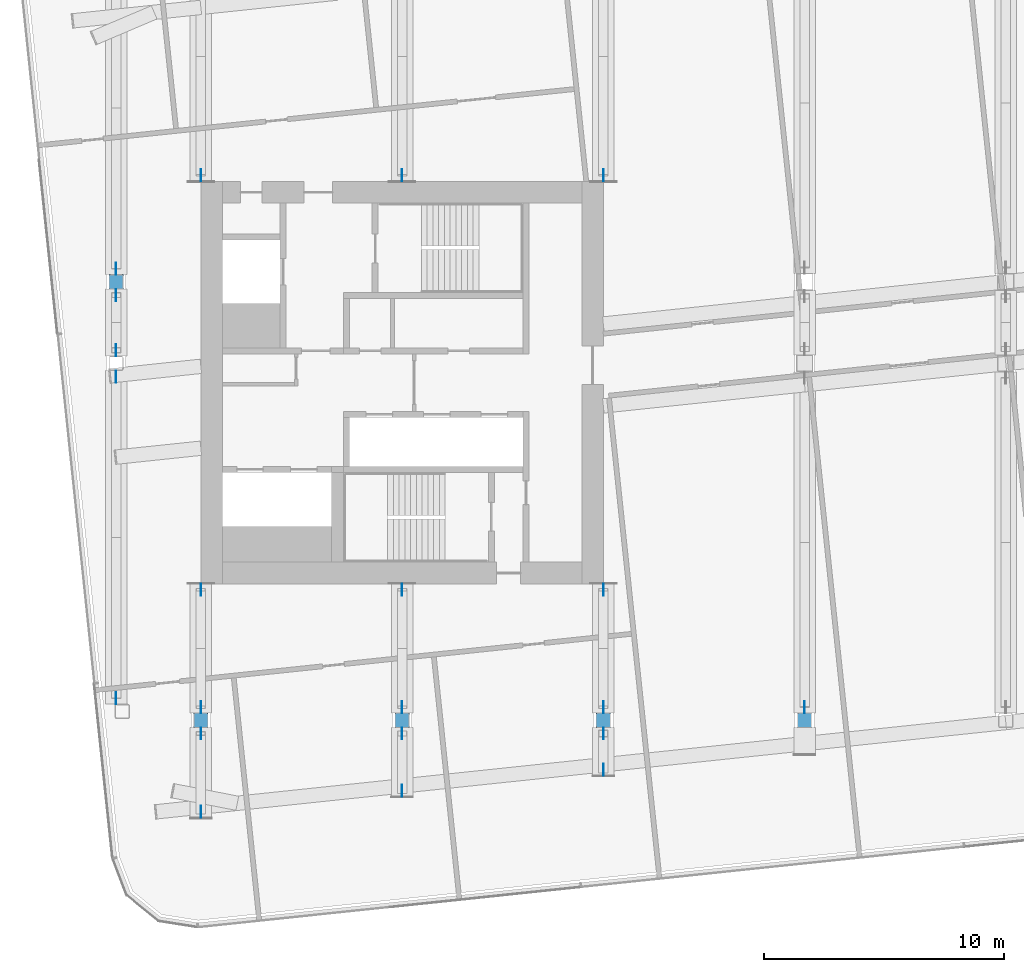
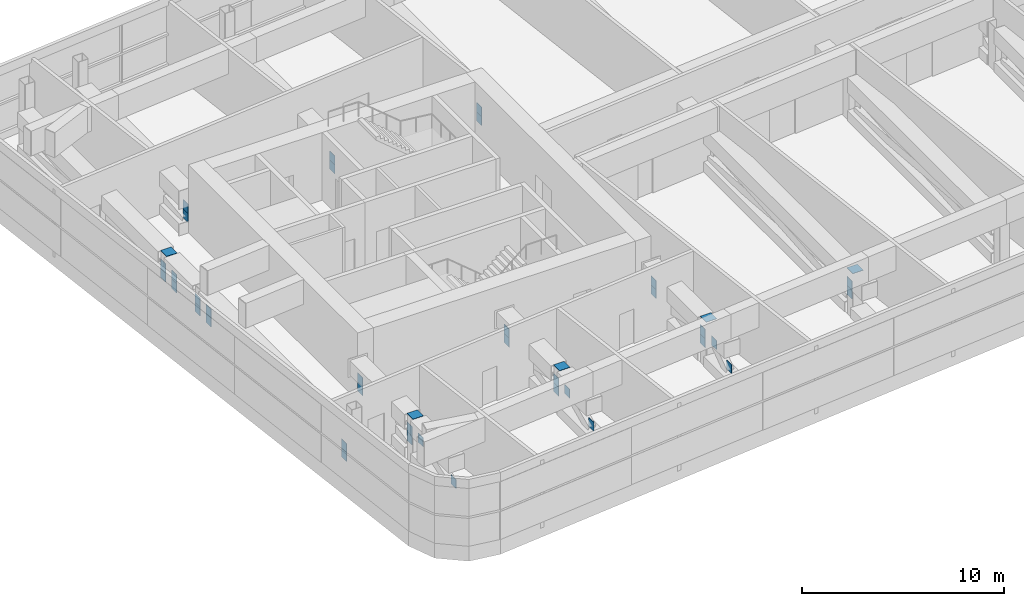
# One storey, part 24 of 33: 41 discrete accessories.
"""IFC4 building model written with IfcOpenShell, lengths in metres."""

from ifc_helpers import new_model, si_unit, direction, frame, origin, origin_2d, place, context, subcontext, project, spatial, rectangle, extrude, material, material_profile, profile_set, type_object, element, save


model = new_model("IFC4")

# Units and contexts
model_context = context("Model", 3, precision=1e-05, world=origin(), true_north=direction((0.0, 1.0)))
body_context = subcontext(model_context, "Body", "Model", "MODEL_VIEW")
ifc_project = project(units=[si_unit("LENGTHUNIT", "METRE"), si_unit("AREAUNIT", "SQUARE_METRE"), si_unit("VOLUMEUNIT", "CUBIC_METRE"), si_unit("PLANEANGLEUNIT", "RADIAN"), si_unit("MASSUNIT", "GRAM", prefix="KILO")], contexts=[model_context])

# Site, building, storey
site_placement = place(None, origin())
site = spatial("IfcSite", under=ifc_project, at=site_placement, CompositionType="ELEMENT")
building_placement = place(site_placement, origin())
building = spatial("IfcBuilding", under=site, at=building_placement, Name="Hakoniwa Tower and Hamabe Station Hall", CompositionType="ELEMENT")
storey_placement = place(building_placement, frame((0.0, 0.0, 228.199951171875)))
storey = spatial("IfcBuildingStorey", under=building, at=storey_placement, Name="L65", CompositionType="ELEMENT", Elevation=228.199951171875)

# Discrete accessories
ifc_material_1 = material(Name="Steel BCP325", Category="steel")
ifc_material_profile_1 = material_profile(ifc_material_1, rectangle(XDim=0.60009765625, YDim=0.60009765625, at=origin_2d()), Name="END CAP PLATE BCP-600x600x25")
ifc_profile_set_1 = profile_set([ifc_material_profile_1], Name="Steel BCP325")
discrete_accessory_type_1 = type_object("IfcDiscreteAccessoryType", Name="END CAP PLATE BCP-600x600x25", PredefinedType="USERDEFINED", material=ifc_profile_set_1)
for number, where, z_axis, x_axis, name in (
    (1, (-37.138916015625, 4.199951171875, 2.60009765625), (0.0, 0.0, 1.0), (1.0, 0.0, 0.0), "End cap plate T4-01-P03"),
    (2, (-33.60009765625, -14.10009765625, 2.60009765625), (0.0, 0.0, 1.0), (1.0, 0.0, 0.0), "End cap plate T4-03-P01"),
    (3, (-25.199951171875, -14.10009765625, 2.60009765625), (0.0, 0.0, 1.0), (1.0, 0.0, 0.0), "End cap plate T4-05-P01"),
    (4, (-16.800048828125, -14.10009765625, 2.60009765625), (0.0, 0.0, 1.0), (1.0, 0.0, 0.0), "End cap plate T4-07-P01"),
    (5, (-8.39990234375, -14.10009765625, 2.60009765625), (0.0, 0.0, 1.0), (1.0, 0.0, 0.0), "End cap plate T4-09-P01"),
):
    element("IfcDiscreteAccessory", number, at=place(storey_placement, frame(where, z_axis=z_axis, x_axis=x_axis)), inside=storey, type_object=discrete_accessory_type_1, Name=name, ObjectType="END CAP PLATE", PredefinedType="USERDEFINED", context=body_context, shape_type="SweptSolid", body=[
        extrude(rectangle(XDim=0.60009765625, YDim=0.60009765625, at=origin_2d()), origin(), (0.0, 0.0, 1.0), 0.02490234375),
    ])
ifc_material_2 = material(Name="Steel SN490C", Category="steel")
ifc_material_profile_2 = material_profile(ifc_material_2, rectangle(XDim=0.5, YDim=0.550048828125, at=origin_2d()), Name="GUSSET PLATE BX-500x400x22")
ifc_profile_set_2 = profile_set([ifc_material_profile_2], Name="Steel SN490C")
discrete_accessory_type_2 = type_object("IfcDiscreteAccessoryType", Name="GUSSET PLATE BX-500x400x22", PredefinedType="USERDEFINED", material=ifc_profile_set_2)
for number, where, z_axis, x_axis, name in (
    (6, (-37.12646484375, -13.177978515625, 0.875), (-1.0, 0.0, 0.0), (0.0, -1.0, 0.0), "Gusset plate T4-001-D01A"),
    (7, (-37.12646484375, 0.25, 1.425048828125), (-1.0, 0.0, 0.0), (0.0, -1.0, 0.0), "Gusset plate T4-001-D01A"),
    (8, (-37.12646484375, -13.177978515625, 1.425048828125), (-1.0, 0.0, 0.0), (0.0, -1.0, 0.0), "Gusset plate T4-001-D01B"),
    (9, (-37.12646484375, 0.25, 0.875), (-1.0, 0.0, 0.0), (0.0, -1.0, 0.0), "Gusset plate T4-001-D01B"),
    (10, (-37.12646484375, 1.35009765625, 0.875), (-1.0, 0.0, 0.0), (0.0, -1.0, 0.0), "Gusset plate T4-001-D02A"),
    (11, (-37.12646484375, 3.64990234375, 1.425048828125), (-1.0, 0.0, 0.0), (0.0, -1.0, 0.0), "Gusset plate T4-001-D02A"),
    (12, (-37.12646484375, 1.35009765625, 1.425048828125), (-1.0, 0.0, 0.0), (0.0, -1.0, 0.0), "Gusset plate T4-001-D02B"),
    (13, (-37.12646484375, 3.64990234375, 0.875), (-1.0, 0.0, 0.0), (0.0, -1.0, 0.0), "Gusset plate T4-001-D02B"),
    (14, (-37.12646484375, 4.75, 0.875), (-1.0, 0.0, 0.0), (0.0, -1.0, 0.0), "Gusset plate T4-001-D03A"),
    (15, (-37.12646484375, 4.75, 1.425048828125), (-1.0, 0.0, 0.0), (0.0, -1.0, 0.0), "Gusset plate T4-001-D03B"),
    (16, (-33.58740234375, -13.550048828125, 0.875), (-1.0, 0.0, 0.0), (0.0, -1.0, 0.0), "Gusset plate T4-003-D01A"),
    (17, (-33.58740234375, -8.64990234375, 1.425048828125), (-1.0, 0.0, 0.0), (0.0, -1.0, 0.0), "Gusset plate T4-003-D01A"),
    (18, (-33.58740234375, -13.550048828125, 1.425048828125), (-1.0, 0.0, 0.0), (0.0, -1.0, 0.0), "Gusset plate T4-003-D01B"),
    (19, (-33.58740234375, -8.64990234375, 0.875), (-1.0, 0.0, 0.0), (0.0, -1.0, 0.0), "Gusset plate T4-003-D01B"),
    (20, (-33.58740234375, -17.923095703125, 0.875), (-1.0, 0.0, 0.0), (0.0, -1.0, 0.0), "Gusset plate T4-003-DLA"),
    (21, (-33.58740234375, -14.64990234375, 1.425048828125), (-1.0, 0.0, 0.0), (0.0, -1.0, 0.0), "Gusset plate T4-003-DLA"),
    (22, (-33.58740234375, 8.64990234375, 0.875), (-1.0, 0.0, 0.0), (0.0, -1.0, 0.0), "Gusset plate T4-004-D01A"),
    (23, (-33.58740234375, 8.64990234375, 1.425048828125), (-1.0, 0.0, 0.0), (0.0, -1.0, 0.0), "Gusset plate T4-004-D01B"),
):
    element("IfcDiscreteAccessory", number, at=place(storey_placement, frame(where, z_axis=z_axis, x_axis=x_axis)), inside=storey, type_object=discrete_accessory_type_2, Name=name, ObjectType="GUSSET PLATE", PredefinedType="USERDEFINED", context=body_context, shape_type="SweptSolid", body=[
        extrude(rectangle(XDim=0.5, YDim=0.550048828125, at=origin_2d()), origin(), (0.0, 0.0, 1.0), 0.025146484375),
    ])
for number, where, z_axis, x_axis, name in (
    (24, (-25.1875, -13.550048828125, 0.875), (-1.0, 0.0, 0.0), (0.0, -1.0, 0.0), "Gusset plate T4-005-D01A"),
    (25, (-25.1875, -8.64990234375, 1.425048828125), (-1.0, 0.0, 0.0), (0.0, -1.0, 0.0), "Gusset plate T4-005-D01A"),
    (26, (-25.1875, -13.550048828125, 1.425048828125), (-1.0, 0.0, 0.0), (0.0, -1.0, 0.0), "Gusset plate T4-005-D01B"),
    (27, (-25.1875, -8.64990234375, 0.875), (-1.0, 0.0, 0.0), (0.0, -1.0, 0.0), "Gusset plate T4-005-D01B"),
    (28, (-25.1875, -17.0400390625, 0.875), (-1.0, 0.0, 0.0), (0.0, -1.0, 0.0), "Gusset plate T4-005-DLA"),
    (29, (-25.1875, -14.64990234375, 1.425048828125), (-1.0, 0.0, 0.0), (0.0, -1.0, 0.0), "Gusset plate T4-005-DLA"),
    (30, (-25.1875, 8.64990234375, 0.875), (-1.0, 0.0, 0.0), (0.0, -1.0, 0.0), "Gusset plate T4-006-D01A"),
    (31, (-25.1875, 8.64990234375, 1.425048828125), (-1.0, 0.0, 0.0), (0.0, -1.0, 0.0), "Gusset plate T4-006-D01B"),
    (32, (-16.78759765625, -13.550048828125, 0.875), (-1.0, 0.0, 0.0), (0.0, -1.0, 0.0), "Gusset plate T4-007-D01A"),
    (33, (-16.78759765625, -8.64990234375, 1.425048828125), (-1.0, 0.0, 0.0), (0.0, -1.0, 0.0), "Gusset plate T4-007-D01A"),
    (34, (-16.78759765625, -13.550048828125, 1.425048828125), (-1.0, 0.0, 0.0), (0.0, -1.0, 0.0), "Gusset plate T4-007-D01B"),
    (35, (-16.78759765625, -8.64990234375, 0.875), (-1.0, 0.0, 0.0), (0.0, -1.0, 0.0), "Gusset plate T4-007-D01B"),
    (36, (-16.78759765625, -16.156982421875, 0.875), (-1.0, 0.0, 0.0), (0.0, -1.0, 0.0), "Gusset plate T4-007-DLA"),
    (37, (-16.78759765625, -14.64990234375, 1.425048828125), (-1.0, 0.0, 0.0), (0.0, -1.0, 0.0), "Gusset plate T4-007-DLA"),
    (38, (-16.78759765625, 8.64990234375, 0.875), (-1.0, 0.0, 0.0), (0.0, -1.0, 0.0), "Gusset plate T4-008-D01A"),
    (39, (-16.78759765625, 8.64990234375, 1.425048828125), (-1.0, 0.0, 0.0), (0.0, -1.0, 0.0), "Gusset plate T4-008-D01B"),
):
    element("IfcDiscreteAccessory", number, at=place(storey_placement, frame(where, z_axis=z_axis, x_axis=x_axis)), inside=storey, type_object=discrete_accessory_type_2, Name=name, ObjectType="GUSSET PLATE", PredefinedType="USERDEFINED", context=body_context, shape_type="SweptSolid", body=[
        extrude(rectangle(XDim=0.5, YDim=0.550048828125, at=origin_2d()), origin(), (0.0, 0.0, 1.0), 0.02490234375),
    ])
for number, where, z_axis, x_axis, name in (
    (40, (-8.387451171875, -13.550048828125, 0.875), (-1.0, 0.0, 0.0), (0.0, -1.0, 0.0), "Gusset plate T4-009-D01A"),
    (41, (-8.387451171875, -13.550048828125, 1.425048828125), (-1.0, 0.0, 0.0), (0.0, -1.0, 0.0), "Gusset plate T4-009-D01B"),
):
    element("IfcDiscreteAccessory", number, at=place(storey_placement, frame(where, z_axis=z_axis, x_axis=x_axis)), inside=storey, type_object=discrete_accessory_type_2, Name=name, ObjectType="GUSSET PLATE", PredefinedType="USERDEFINED", context=body_context, shape_type="SweptSolid", body=[
        extrude(rectangle(XDim=0.5, YDim=0.550048828125, at=origin_2d()), origin(), (0.0, 0.0, 1.0), 0.025146484375),
    ])

save(model, "model.ifc")
